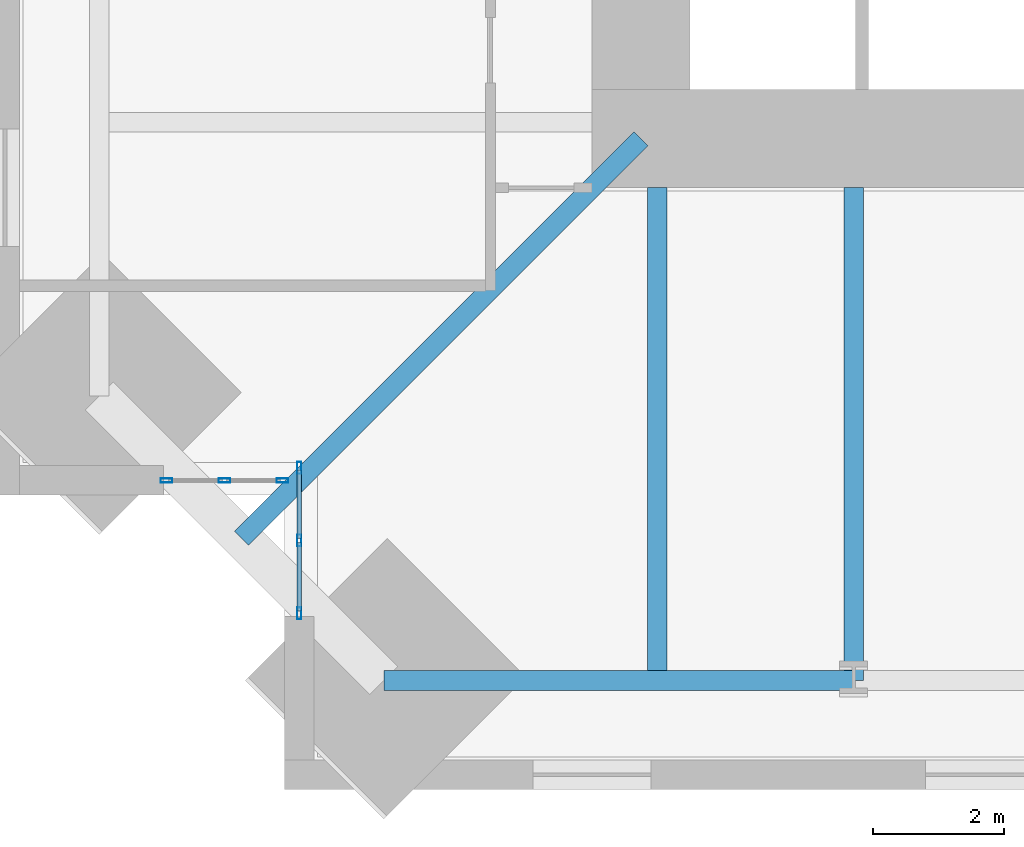
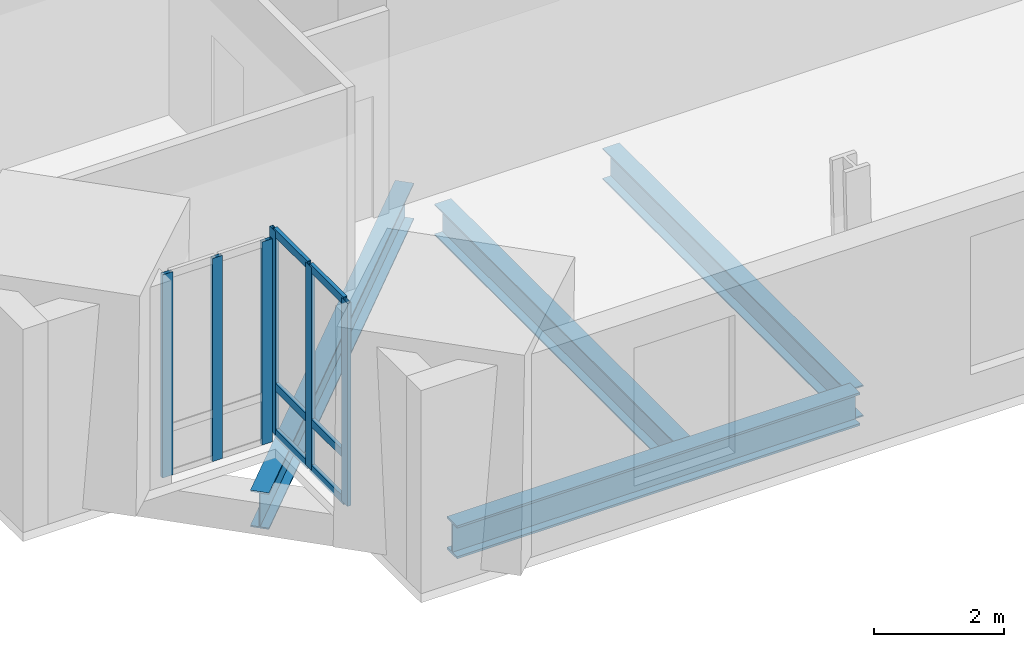
# One storey, part 2 of 15: 12 members, 4 beams, 2 elements without a shape of their own.
"""IFC4 building model written with IfcOpenShell, lengths in metres."""

from ifc_helpers import new_model, si_unit, direction, frame, origin, origin_2d, place, context, subcontext, project, spatial, hollow_rectangle, i_section, extrude, material, material_profile, profile_set, type_object, element, aggregate, save


model = new_model("IFC4")

# Units and contexts
model_context = context("Model", 3, precision=1e-05, world=origin(), true_north=direction((0.0, 1.0)))
body_context = subcontext(model_context, "Body", "Model", "MODEL_VIEW")
ifc_project = project(units=[si_unit("LENGTHUNIT", "METRE"), si_unit("AREAUNIT", "SQUARE_METRE"), si_unit("VOLUMEUNIT", "CUBIC_METRE"), si_unit("PLANEANGLEUNIT", "RADIAN"), si_unit("MASSUNIT", "GRAM", prefix="KILO")], contexts=[model_context])

# Site, building, storey
site_placement = place(None, origin())
site = spatial("IfcSite", under=ifc_project, at=site_placement, CompositionType="ELEMENT")
building_placement = place(site_placement, origin())
building = spatial("IfcBuilding", under=site, at=building_placement, Name="Peilmerk Tower", CompositionType="ELEMENT")
storey_placement = place(building_placement, frame((0.0, 0.0, 281.800048828125)))
storey = spatial("IfcBuildingStorey", under=building, at=storey_placement, Name="L63", CompositionType="ELEMENT", Elevation=281.800048828125)

# Beams
ifc_material_1 = material(Name="Steel S355", Category="steel")
ifc_material_profile_1 = material_profile(ifc_material_1, i_section(OverallWidth=0.300048828125, OverallDepth=0.68994140625, WebThickness=0.014404296875, FlangeThickness=0.027099609375, at=origin_2d()), Name="HEA 700")
ifc_profile_set_1 = profile_set([ifc_material_profile_1], Name="Steel S355")
beam_type_1 = type_object("IfcBeamType", Name="B16 HEA 700 floor beam", PredefinedType="BEAM", material=ifc_profile_set_1)
beam_1_placement = place(storey_placement, frame((-11.25, -11.25, -0.51513671875), z_axis=(-0.707106781187, -0.707106781187, 0.0), x_axis=(0.707106781187, -0.707106781187, 0.0)))
element("IfcBeam", 1, at=beam_1_placement, inside=storey, type_object=beam_type_1, Name="Corner girder L63", PredefinedType="BEAM", context=body_context, shape_type="SweptSolid", body=[
    extrude(i_section(OverallWidth=0.300048828125, OverallDepth=0.68994140625, WebThickness=0.014404296875, FlangeThickness=0.027099609375, at=origin_2d()), origin(), (0.0, 0.0, 1.0), 8.63916015625),
])
ifc_material_profile_2 = material_profile(ifc_material_1, i_section(OverallWidth=0.300048828125, OverallDepth=0.590087890625, WebThickness=0.012939453125, FlangeThickness=0.02490234375, at=origin_2d()), Name="HEA 600")
ifc_profile_set_2 = profile_set([ifc_material_profile_2], Name="Steel S355")
beam_type_2 = type_object("IfcBeamType", Name="B27 HEA 600 floor beam", PredefinedType="BEAM", material=ifc_profile_set_2)
for number, where, z_axis, x_axis, name in (
    (2, (-11.0, -12.0, -0.465087890625), (0.0, -1.0, 0.0), (1.0, 0.0, 0.0), "Floor beam L63"),
    (3, (-8.0, -12.0, -0.465087890625), (0.0, -1.0, 0.0), (1.0, 0.0, 0.0), "Floor beam L63"),
):
    element("IfcBeam", number, at=place(storey_placement, frame(where, z_axis=z_axis, x_axis=x_axis)), inside=storey, type_object=beam_type_2, Name=name, PredefinedType="BEAM", context=body_context, shape_type="SweptSolid", body=[
        extrude(i_section(OverallWidth=0.300048828125, OverallDepth=0.590087890625, WebThickness=0.012939453125, FlangeThickness=0.02490234375, at=origin_2d()), origin(), (0.0, 0.0, 1.0), 7.533935546875),
    ])
ifc_material_profile_3 = material_profile(ifc_material_1, i_section(OverallWidth=0.304931640625, OverallDepth=0.6201171875, WebThickness=0.02099609375, FlangeThickness=0.0400390625, at=origin_2d()), Name="HEM 600")
ifc_profile_set_3 = profile_set([ifc_material_profile_3], Name="Steel S355")
beam_type_3 = type_object("IfcBeamType", Name="B31 HEM 600 edge beam", PredefinedType="SPANDREL", material=ifc_profile_set_3)
beam_2_placement = place(storey_placement, frame((-15.183837890625, -19.533935546875, -0.47998046875), z_axis=(1.0, 0.0, 0.0), x_axis=(0.0, 1.0, 0.0)))
element("IfcBeam", 4, at=beam_2_placement, inside=storey, type_object=beam_type_3, Name="Edge beam L63", PredefinedType="SPANDREL", context=body_context, shape_type="SweptSolid", body=[
    extrude(i_section(OverallWidth=0.304931640625, OverallDepth=0.6201171875, WebThickness=0.02099609375, FlangeThickness=0.0400390625, at=origin_2d()), origin(), (0.0, 0.0, 1.0), 7.183837890625),
])

# Curtain wall, members
ifc_material_2 = material(Name="Aluminium stick curtain wall", Category="aluminium")
curtain_wall_type = type_object("IfcCurtainWallType", Name="CW4 stick curtain wall, 2250 module", PredefinedType="NOTDEFINED", material=ifc_material_2)
curtain_wall_1_placement = place(storey_placement, origin())
curtain_wall_1 = element("IfcCurtainWall", 5, at=curtain_wall_1_placement, inside=storey, type_object=curtain_wall_type, Name="Curtain wall CW4 SWA L63", PredefinedType="NOTDEFINED")
ifc_material_3 = material(Name="Aluminium EN AW-6063 T6", Category="aluminium")
ifc_material_profile_4 = material_profile(ifc_material_3, hollow_rectangle(XDim=0.06494140625, YDim=0.179931640625, WallThickness=0.0029296875, at=origin_2d()), Name="AL 180x65x3")
ifc_profile_set_4 = profile_set([ifc_material_profile_4], Name="Aluminium EN AW-6063 T6")
member_type_1 = type_object("IfcMemberType", Name="CW4-M AL 180x65x3 mullion", PredefinedType="MULLION", material=ifc_profile_set_4)
member_1_placement = place(storey_placement, frame((-16.47509765625, -16.282470703125, 0.0), z_axis=(0.0, 0.0, 1.0), x_axis=(1.0, 0.0, 0.0)))
member_1 = element("IfcMember", 6, at=member_1_placement, type_object=member_type_1, Name="CW4 mullion 1", PredefinedType="MULLION", context=body_context, shape_type="SweptSolid", body=[
    extrude(hollow_rectangle(XDim=0.06494140625, YDim=0.179931640625, WallThickness=0.0029296875, at=origin_2d()), origin(), (0.0, 0.0, 1.0), 3.829833984375),
])
member_2_placement = place(storey_placement, frame((-16.47509765625, -17.394287109375, 0.0), z_axis=(0.0, 0.0, 1.0), x_axis=(1.0, 0.0, 0.0)))
member_2 = element("IfcMember", 7, at=member_2_placement, type_object=member_type_1, Name="CW4 mullion 2", PredefinedType="MULLION", context=body_context, shape_type="SweptSolid", body=[
    extrude(hollow_rectangle(XDim=0.06494140625, YDim=0.179931640625, WallThickness=0.0029296875, at=origin_2d()), origin(), (0.0, 0.0, 1.0), 3.829833984375),
])
member_3_placement = place(storey_placement, frame((-16.47509765625, -18.506103515625, 0.0), z_axis=(0.0, 0.0, 1.0), x_axis=(1.0, 0.0, 0.0)))
member_3 = element("IfcMember", 8, at=member_3_placement, type_object=member_type_1, Name="CW4 mullion 3", PredefinedType="MULLION", context=body_context, shape_type="SweptSolid", body=[
    extrude(hollow_rectangle(XDim=0.06494140625, YDim=0.179931640625, WallThickness=0.0029296875, at=origin_2d()), origin(), (0.0, 0.0, 1.0), 3.829833984375),
])

curtain_wall_2_placement = place(storey_placement, origin())
curtain_wall_2 = element("IfcCurtainWall", 9, at=curtain_wall_2_placement, inside=storey, type_object=curtain_wall_type, Name="Curtain wall CW4 SWB L63", PredefinedType="NOTDEFINED")
member_4_placement = place(storey_placement, frame((-16.732421875, -16.47509765625, 0.0), z_axis=(0.0, 0.0, 1.0), x_axis=(0.0, -1.0, 0.0)))
member_4 = element("IfcMember", 10, at=member_4_placement, type_object=member_type_1, Name="CW4 mullion 1", PredefinedType="MULLION", context=body_context, shape_type="SweptSolid", body=[
    extrude(hollow_rectangle(XDim=0.06494140625, YDim=0.179931640625, WallThickness=0.0029296875, at=origin_2d()), origin(), (0.0, 0.0, 1.0), 3.829833984375),
])
member_5_placement = place(storey_placement, frame((-17.619384765625, -16.47509765625, 0.0), z_axis=(0.0, 0.0, 1.0), x_axis=(0.0, -1.0, 0.0)))
member_5 = element("IfcMember", 11, at=member_5_placement, type_object=member_type_1, Name="CW4 mullion 2", PredefinedType="MULLION", context=body_context, shape_type="SweptSolid", body=[
    extrude(hollow_rectangle(XDim=0.06494140625, YDim=0.179931640625, WallThickness=0.0029296875, at=origin_2d()), origin(), (0.0, 0.0, 1.0), 3.829833984375),
])
member_6_placement = place(storey_placement, frame((-18.506103515625, -16.47509765625, 0.0), z_axis=(0.0, 0.0, 1.0), x_axis=(0.0, -1.0, 0.0)))
member_6 = element("IfcMember", 12, at=member_6_placement, type_object=member_type_1, Name="CW4 mullion 3", PredefinedType="MULLION", context=body_context, shape_type="SweptSolid", body=[
    extrude(hollow_rectangle(XDim=0.06494140625, YDim=0.179931640625, WallThickness=0.0029296875, at=origin_2d()), origin(), (0.0, 0.0, 1.0), 3.829833984375),
])
aggregate(curtain_wall_2, [member_4, member_5, member_6])

# Member
ifc_material_profile_5 = material_profile(ifc_material_3, hollow_rectangle(XDim=0.06494140625, YDim=0.14990234375, WallThickness=0.0029296875, at=origin_2d()), Name="AL 150x65x3")
ifc_profile_set_5 = profile_set([ifc_material_profile_5], Name="Aluminium EN AW-6063 T6")
member_type_2 = type_object("IfcMemberType", Name="CW4-T AL 150x65x3 transom", PredefinedType="USERDEFINED", material=ifc_profile_set_5)
member_7_placement = place(storey_placement, frame((-16.47509765625, -16.31494140625, 0.032470703125), z_axis=(0.0, -1.0, 0.0), x_axis=(1.0, 0.0, 0.0)))
member_7 = element("IfcMember", 13, at=member_7_placement, type_object=member_type_2, Name="CW4 transom 1.1", ObjectType="TRANSOM", PredefinedType="USERDEFINED", context=body_context, shape_type="SweptSolid", body=[
    extrude(hollow_rectangle(XDim=0.06494140625, YDim=0.14990234375, WallThickness=0.0029296875, at=origin_2d()), origin(), (0.0, 0.0, 1.0), 1.046875),
])

member_8_placement = place(storey_placement, frame((-16.47509765625, -16.31494140625, 0.89990234375), z_axis=(0.0, -1.0, 0.0), x_axis=(1.0, 0.0, 0.0)))
member_8 = element("IfcMember", 14, at=member_8_placement, type_object=member_type_2, Name="CW4 transom 1.2", ObjectType="TRANSOM", PredefinedType="USERDEFINED", context=body_context, shape_type="SweptSolid", body=[
    extrude(hollow_rectangle(XDim=0.06494140625, YDim=0.14990234375, WallThickness=0.0029296875, at=origin_2d()), origin(), (0.0, 0.0, 1.0), 1.046875),
])

member_9_placement = place(storey_placement, frame((-16.47509765625, -16.31494140625, 3.79736328125), z_axis=(0.0, -1.0, 0.0), x_axis=(1.0, 0.0, 0.0)))
member_9 = element("IfcMember", 15, at=member_9_placement, type_object=member_type_2, Name="CW4 transom 1.3", ObjectType="TRANSOM", PredefinedType="USERDEFINED", context=body_context, shape_type="SweptSolid", body=[
    extrude(hollow_rectangle(XDim=0.06494140625, YDim=0.14990234375, WallThickness=0.0029296875, at=origin_2d()), origin(), (0.0, 0.0, 1.0), 1.046875),
])

member_10_placement = place(storey_placement, frame((-16.47509765625, -17.4267578125, 0.032470703125), z_axis=(0.0, -1.0, 0.0), x_axis=(1.0, 0.0, 0.0)))
member_10 = element("IfcMember", 16, at=member_10_placement, type_object=member_type_2, Name="CW4 transom 2.1", ObjectType="TRANSOM", PredefinedType="USERDEFINED", context=body_context, shape_type="SweptSolid", body=[
    extrude(hollow_rectangle(XDim=0.06494140625, YDim=0.14990234375, WallThickness=0.0029296875, at=origin_2d()), origin(), (0.0, 0.0, 1.0), 1.046875),
])

member_11_placement = place(storey_placement, frame((-16.47509765625, -17.4267578125, 0.89990234375), z_axis=(0.0, -1.0, 0.0), x_axis=(1.0, 0.0, 0.0)))
member_11 = element("IfcMember", 17, at=member_11_placement, type_object=member_type_2, Name="CW4 transom 2.2", ObjectType="TRANSOM", PredefinedType="USERDEFINED", context=body_context, shape_type="SweptSolid", body=[
    extrude(hollow_rectangle(XDim=0.06494140625, YDim=0.14990234375, WallThickness=0.0029296875, at=origin_2d()), origin(), (0.0, 0.0, 1.0), 1.046875),
])

member_12_placement = place(storey_placement, frame((-16.47509765625, -17.4267578125, 3.79736328125), z_axis=(0.0, -1.0, 0.0), x_axis=(1.0, 0.0, 0.0)))
member_12 = element("IfcMember", 18, at=member_12_placement, type_object=member_type_2, Name="CW4 transom 2.3", ObjectType="TRANSOM", PredefinedType="USERDEFINED", context=body_context, shape_type="SweptSolid", body=[
    extrude(hollow_rectangle(XDim=0.06494140625, YDim=0.14990234375, WallThickness=0.0029296875, at=origin_2d()), origin(), (0.0, 0.0, 1.0), 1.046875),
])

aggregate(curtain_wall_1, [member_1, member_2, member_3, member_7, member_8, member_9, member_10, member_11, member_12])

save(model, "model.ifc")
